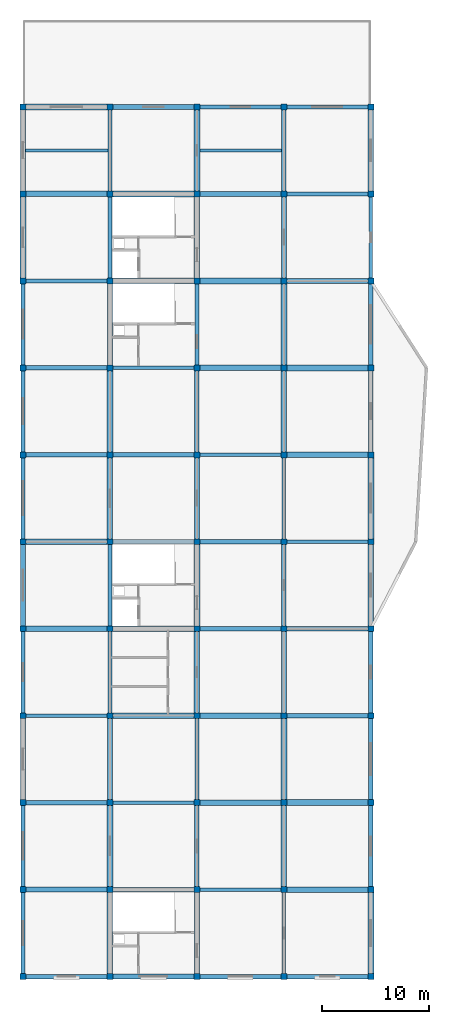
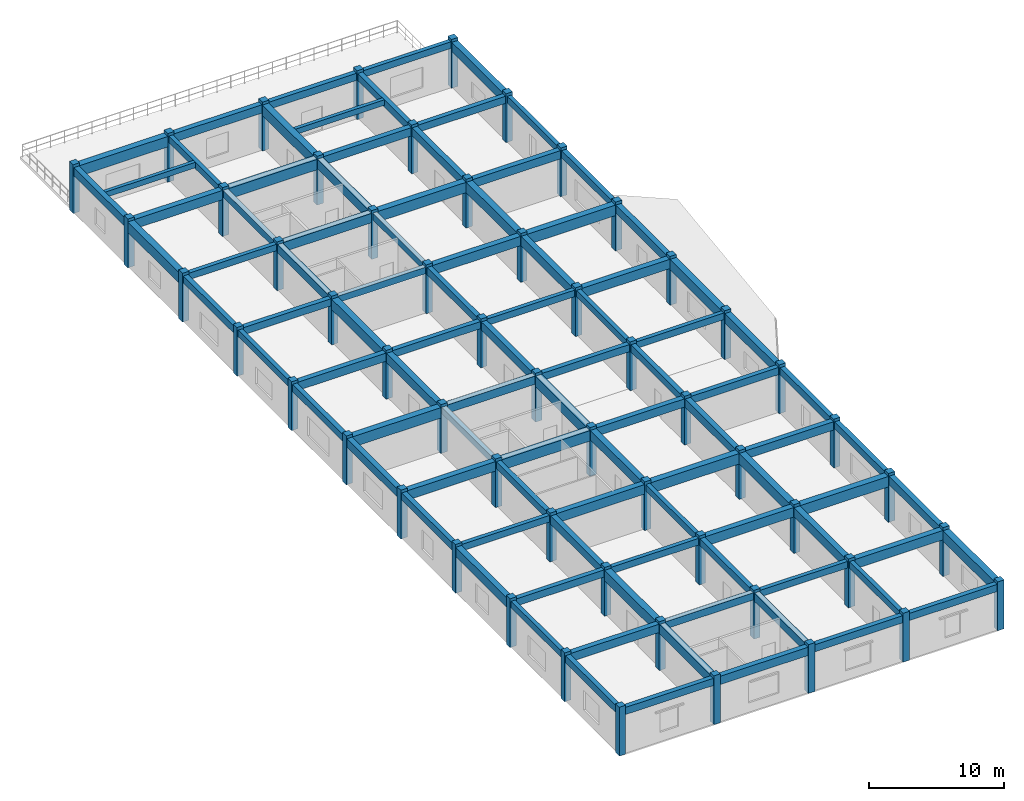
# One storey, part 1 of 7: 96 beams, 55 columns.
"""IFC4 building model written with IfcOpenShell, lengths in metres."""

import ifcopenshell
import ifcopenshell.guid

model = None  # the IFC model being written
_history = None  # IfcOwnerHistory: only IFC2X3 demands one
_inside = {}  # id of a spatial element -> (the spatial element, [elements in it])
_under = {}  # id of a project, library or spatial element -> (it, [spatial elements below it])
_declared = {}  # id of a project -> (the project, [libraries it declares])
_typed = {}  # id of a type object -> (the type object, [elements of that type])
_made_of = {}  # id of a material, layer set ... -> (it, [elements and type objects made of it])


def new_model(schema):
    """Start an empty IFC model of exactly this schema.

    Asked for "IFC4X3", IfcOpenShell would pick the latest addendum, in which some entities
    have other attributes; the version numbers below select the first issue.
    IFC2X3 requires an IfcOwnerHistory on every rooted entity: one is made here for all.
    """
    global model, _history
    if schema == "IFC4X3":
        model = ifcopenshell.file(schema_version=(4, 3, 0, 0))
    else:
        model = ifcopenshell.file(schema=schema)
    _inside.clear()
    _under.clear()
    _declared.clear()
    _typed.clear()
    _made_of.clear()
    _history = None
    if model.schema == "IFC2X3":
        org = make("IfcOrganization", Name="unknown")
        user = make(
            "IfcPersonAndOrganization",
            ThePerson=make("IfcPerson", FamilyName="unknown"),
            TheOrganization=org,
        )
        app = make(
            "IfcApplication",
            ApplicationDeveloper=org,
            Version="unknown",
            ApplicationFullName="unknown",
            ApplicationIdentifier="unknown",
        )
        _history = make(
            "IfcOwnerHistory",
            OwningUser=user,
            OwningApplication=app,
            ChangeAction="ADDED",
            CreationDate=0,
        )
    return model


def make(cls, **values):
    """One entity of the class cls with the attributes given. An attribute that is None is left unset."""
    return model.create_entity(
        cls, **{name: value for name, value in values.items() if value is not None}
    )


def rooted(cls, **values):
    """An entity with a GlobalId (a new one), such as an element, a storey or a relation."""
    return make(cls, GlobalId=ifcopenshell.guid.new(), OwnerHistory=_history, **values)


def si_unit(unit_type, name, prefix=None):
    """IfcSIUnit, for example si_unit("LENGTHUNIT", "METRE", prefix="MILLI")."""
    return make("IfcSIUnit", UnitType=unit_type, Prefix=prefix, Name=name)


def assignment(units):
    """IfcUnitAssignment: the units of a project."""
    return None if units is None else make("IfcUnitAssignment", Units=units)


def point(xyz):
    """IfcCartesianPoint."""
    return None if xyz is None else make("IfcCartesianPoint", Coordinates=xyz)


def direction(xyz):
    """IfcDirection."""
    return None if xyz is None else make("IfcDirection", DirectionRatios=xyz)


def frame(location, z_axis=None, x_axis=None):
    """IfcAxis2Placement3D, a coordinate frame: its origin and axes. An axis left out is left unset."""
    return make(
        "IfcAxis2Placement3D",
        Location=point(location),
        Axis=direction(z_axis),
        RefDirection=direction(x_axis),
    )


def frame_2d(location, x_axis=None):
    """IfcAxis2Placement2D, a coordinate frame in the plane: its origin and x axis."""
    return make(
        "IfcAxis2Placement2D", Location=point(location), RefDirection=direction(x_axis)
    )


def origin():
    """The frame at (0, 0, 0) with its axes left unset."""
    return frame((0.0, 0.0, 0.0))


def origin_2d():
    """The frame at (0, 0) in the plane with its x axis left unset."""
    return frame_2d((0.0, 0.0))


def place(relative_to, where):
    """IfcLocalPlacement: puts the frame where relative to a parent placement (None: the world)."""
    return make(
        "IfcLocalPlacement", PlacementRelTo=relative_to, RelativePlacement=where
    )


def context(
    kind, dimensions, precision=None, world=None, true_north=None, identifier=None
):
    """IfcGeometricRepresentationContext, for example the 3D "Model" context."""
    return make(
        "IfcGeometricRepresentationContext",
        ContextIdentifier=identifier,
        ContextType=kind,
        CoordinateSpaceDimension=dimensions,
        Precision=precision,
        WorldCoordinateSystem=world,
        TrueNorth=true_north,
    )


def subcontext(parent, identifier, kind, view, scale=None):
    """IfcGeometricRepresentationSubContext, for example "Body" below "Model"."""
    return make(
        "IfcGeometricRepresentationSubContext",
        ContextIdentifier=identifier,
        ContextType=kind,
        ParentContext=parent,
        TargetScale=scale,
        TargetView=view,
    )


def project(units=None, contexts=None):
    """IfcProject with its units and contexts."""
    return rooted(
        "IfcProject",
        Name="project",
        RepresentationContexts=contexts,
        UnitsInContext=assignment(units),
    )


def spatial(cls, under=None, at=None, **own):
    """A site, building, storey or space (cls), placed at a placement, below another one or the project."""
    s = rooted(cls, ObjectPlacement=at, **own)
    if under is not None:
        _under.setdefault(under.id(), (under, []))[1].append(s)
    return s


def profile(cls, at=None, kind="AREA", **sizes):
    """A parametric profile (cls). Its sizes go by their IFC names, for example OverallWidth=200.0."""
    return make(cls, ProfileType=kind, Position=at, **sizes)


def rectangle(**sizes):
    """IfcRectangleProfileDef."""
    return profile("IfcRectangleProfileDef", **sizes)


def extrude(swept, where, along, depth):
    """IfcExtrudedAreaSolid: the profile swept, set in the frame where, extruded along a direction by depth."""
    return make(
        "IfcExtrudedAreaSolid",
        SweptArea=swept,
        Position=where,
        ExtrudedDirection=direction(along),
        Depth=depth,
    )


def shape(context_of_items, identifier, shape_type, items):
    """IfcShapeRepresentation: the items that make up one representation, for example the "Body"."""
    return make(
        "IfcShapeRepresentation",
        ContextOfItems=context_of_items,
        RepresentationIdentifier=identifier,
        RepresentationType=shape_type,
        Items=items,
    )


def material(Name=None, Category=None):
    """IfcMaterial."""
    return make("IfcMaterial", Name=Name, Category=Category)


def material_profile(
    of_material, cross_section, Name=None, Category=None, Priority=None
):
    """IfcMaterialProfile: a cross section and its material."""
    return make(
        "IfcMaterialProfile",
        Name=Name,
        Material=of_material,
        Profile=cross_section,
        Priority=Priority,
        Category=Category,
    )


def profile_set(profiles, Name=None, composite=None):
    """IfcMaterialProfileSet."""
    return make(
        "IfcMaterialProfileSet",
        Name=Name,
        MaterialProfiles=profiles,
        CompositeProfile=composite,
    )


def made_of(thing, what):
    """Note that an element or type object is made of a material, layer set ...; save() writes the relation."""
    if what is not None:
        _made_of.setdefault(what.id(), (what, []))[1].append(thing)
    return thing


def type_object(cls, material=None, **own):
    """A type object (cls), such as IfcWallType, which elements share."""
    return made_of(rooted(cls, **own), material)


def element(
    cls,
    number,
    at=None,
    inside=None,
    cuts=None,
    type_object=None,
    material=None,
    context=None,
    identifier="Body",
    shape_type=None,
    held_by="IfcProductDefinitionShape",
    body=None,
    shapes=None,
    **own,
):
    """One element of the class cls, such as IfcWall. Its Tag is "e" and its number.

    at: its placement. inside: the storey or other place that contains it. cuts: it is an
    opening in that element (IfcRelVoidsElement). A single representation is given by context,
    identifier, shape_type and body (its items); several are given by shapes. held_by: the class
    of the entity that holds the representations. save() writes the other relations.
    """
    e = rooted(cls, Tag="e%d" % number, ObjectPlacement=at, **own)
    if body is not None:
        shapes = [shape(context, identifier, shape_type, body)]
    if shapes is not None:
        e.Representation = make(held_by, Representations=shapes)
    if inside is not None:
        _inside.setdefault(inside.id(), (inside, []))[1].append(e)
    if cuts is not None:
        rooted(
            "IfcRelVoidsElement", RelatingBuildingElement=cuts, RelatedOpeningElement=e
        )
    if type_object is not None:
        _typed.setdefault(type_object.id(), (type_object, []))[1].append(e)
    return made_of(e, material)


def aggregate(whole, parts):
    """IfcRelAggregates: a whole, such as a stair, and the parts it consists of."""
    return rooted("IfcRelAggregates", RelatingObject=whole, RelatedObjects=parts)


def save(model, path):
    """Write the relations noted so far, then the file.

    IfcRelAggregates (storeys below a building ...), IfcRelContainedInSpatialStructure (elements
    in a storey), IfcRelDefinesByType, IfcRelAssociatesMaterial and IfcRelDeclares: one each for
    every whole, place, type object, material and project.
    """
    for whole, parts in _under.values():
        aggregate(whole, parts)
    for where, things in _inside.values():
        rooted(
            "IfcRelContainedInSpatialStructure",
            RelatedElements=things,
            RelatingStructure=where,
        )
    for kind, things in _typed.values():
        rooted("IfcRelDefinesByType", RelatedObjects=things, RelatingType=kind)
    for what, things in _made_of.values():
        rooted("IfcRelAssociatesMaterial", RelatedObjects=things, RelatingMaterial=what)
    for by, libraries in _declared.values():
        rooted("IfcRelDeclares", RelatingContext=by, RelatedDefinitions=libraries)
    model.write(path)


model = new_model("IFC4")

# Units and contexts
model_context = context("Model", 3, precision=1e-05, world=origin(), true_north=direction((0.0, 1.0)))
body_context = subcontext(model_context, "Body", "Model", "MODEL_VIEW")
ifc_project = project(units=[si_unit("LENGTHUNIT", "METRE"), si_unit("AREAUNIT", "SQUARE_METRE"), si_unit("VOLUMEUNIT", "CUBIC_METRE"), si_unit("PLANEANGLEUNIT", "RADIAN"), si_unit("MASSUNIT", "GRAM", prefix="KILO")], contexts=[model_context])

# Site, building, storey
site_placement = place(None, origin())
site = spatial("IfcSite", under=ifc_project, at=site_placement, CompositionType="ELEMENT")
building_placement = place(site_placement, origin())
building = spatial("IfcBuilding", under=site, at=building_placement, Name="Vaudrelin Polytechnic", CompositionType="ELEMENT")
storey_placement = place(building_placement, frame((0.0, 0.0, 31.7900390625)))
storey = spatial("IfcBuildingStorey", under=building, at=storey_placement, Name="L07", CompositionType="ELEMENT", Elevation=31.7900390625)

# Columns
ifc_material_1 = material(Name="Concrete 40 MPa", Category="concrete")
ifc_material_profile_1 = material_profile(ifc_material_1, rectangle(XDim=0.550048828125, YDim=0.550048828125, at=origin_2d()), Name="RC550x550")
ifc_profile_set_1 = profile_set([ifc_material_profile_1], Name="Concrete 40 MPa")
column_type = type_object("IfcColumnType", Name="COL-C-RC550", PredefinedType="COLUMN", material=ifc_profile_set_1)
for number, where, z_axis, x_axis, name in (
    (1, (137.699951171875, 32.39990234375, 0.0), (0.0, 0.0, 1.0), (1.0, 0.0, 0.0), "Column L07 18-5"),
    (2, (137.699951171875, 40.5, 0.0), (0.0, 0.0, 1.0), (1.0, 0.0, 0.0), "Column L07 18-6"),
    (3, (137.699951171875, 48.60009765625, 0.0), (0.0, 0.0, 1.0), (1.0, 0.0, 0.0), "Column L07 18-7"),
    (4, (137.699951171875, 56.699951171875, 0.0), (0.0, 0.0, 1.0), (1.0, 0.0, 0.0), "Column L07 18-8"),
    (5, (137.699951171875, 64.800048828125, 0.0), (0.0, 0.0, 1.0), (1.0, 0.0, 0.0), "Column L07 18-9"),
    (6, (137.699951171875, 72.89990234375, 0.0), (0.0, 0.0, 1.0), (1.0, 0.0, 0.0), "Column L07 18-10"),
    (7, (137.699951171875, 81.0, 0.0), (0.0, 0.0, 1.0), (1.0, 0.0, 0.0), "Column L07 18-11"),
    (8, (137.699951171875, 89.10009765625, 0.0), (0.0, 0.0, 1.0), (1.0, 0.0, 0.0), "Column L07 18-12"),
    (9, (137.699951171875, 97.199951171875, 0.0), (0.0, 0.0, 1.0), (1.0, 0.0, 0.0), "Column L07 18-13"),
    (10, (137.699951171875, 105.300048828125, 0.0), (0.0, 0.0, 1.0), (1.0, 0.0, 0.0), "Column L07 18-14"),
    (11, (137.699951171875, 113.39990234375, 0.0), (0.0, 0.0, 1.0), (1.0, 0.0, 0.0), "Column L07 18-15"),
    (12, (145.800048828125, 32.39990234375, 0.0), (0.0, 0.0, 1.0), (1.0, 0.0, 0.0), "Column L07 19-5"),
    (13, (145.800048828125, 40.5, 0.0), (0.0, 0.0, 1.0), (1.0, 0.0, 0.0), "Column L07 19-6"),
    (14, (145.800048828125, 48.60009765625, 0.0), (0.0, 0.0, 1.0), (1.0, 0.0, 0.0), "Column L07 19-7"),
    (15, (145.800048828125, 56.699951171875, 0.0), (0.0, 0.0, 1.0), (1.0, 0.0, 0.0), "Column L07 19-8"),
    (16, (145.800048828125, 64.800048828125, 0.0), (0.0, 0.0, 1.0), (1.0, 0.0, 0.0), "Column L07 19-9"),
    (17, (145.800048828125, 72.89990234375, 0.0), (0.0, 0.0, 1.0), (1.0, 0.0, 0.0), "Column L07 19-10"),
    (18, (145.800048828125, 81.0, 0.0), (0.0, 0.0, 1.0), (1.0, 0.0, 0.0), "Column L07 19-11"),
    (19, (145.800048828125, 89.10009765625, 0.0), (0.0, 0.0, 1.0), (1.0, 0.0, 0.0), "Column L07 19-12"),
    (20, (145.800048828125, 97.199951171875, 0.0), (0.0, 0.0, 1.0), (1.0, 0.0, 0.0), "Column L07 19-13"),
    (21, (145.800048828125, 105.300048828125, 0.0), (0.0, 0.0, 1.0), (1.0, 0.0, 0.0), "Column L07 19-14"),
    (22, (145.800048828125, 113.39990234375, 0.0), (0.0, 0.0, 1.0), (1.0, 0.0, 0.0), "Column L07 19-15"),
    (23, (153.89990234375, 32.39990234375, 0.0), (0.0, 0.0, 1.0), (1.0, 0.0, 0.0), "Column L07 20-5"),
    (24, (153.89990234375, 40.5, 0.0), (0.0, 0.0, 1.0), (1.0, 0.0, 0.0), "Column L07 20-6"),
    (25, (153.89990234375, 48.60009765625, 0.0), (0.0, 0.0, 1.0), (1.0, 0.0, 0.0), "Column L07 20-7"),
    (26, (153.89990234375, 56.699951171875, 0.0), (0.0, 0.0, 1.0), (1.0, 0.0, 0.0), "Column L07 20-8"),
    (27, (153.89990234375, 64.800048828125, 0.0), (0.0, 0.0, 1.0), (1.0, 0.0, 0.0), "Column L07 20-9"),
    (28, (153.89990234375, 72.89990234375, 0.0), (0.0, 0.0, 1.0), (1.0, 0.0, 0.0), "Column L07 20-10"),
    (29, (153.89990234375, 81.0, 0.0), (0.0, 0.0, 1.0), (1.0, 0.0, 0.0), "Column L07 20-11"),
    (30, (153.89990234375, 89.10009765625, 0.0), (0.0, 0.0, 1.0), (1.0, 0.0, 0.0), "Column L07 20-12"),
    (31, (153.89990234375, 97.199951171875, 0.0), (0.0, 0.0, 1.0), (1.0, 0.0, 0.0), "Column L07 20-13"),
    (32, (153.89990234375, 105.300048828125, 0.0), (0.0, 0.0, 1.0), (1.0, 0.0, 0.0), "Column L07 20-14"),
    (33, (153.89990234375, 113.39990234375, 0.0), (0.0, 0.0, 1.0), (1.0, 0.0, 0.0), "Column L07 20-15"),
    (34, (162.0, 32.39990234375, 0.0), (0.0, 0.0, 1.0), (1.0, 0.0, 0.0), "Column L07 21-5"),
    (35, (162.0, 40.5, 0.0), (0.0, 0.0, 1.0), (1.0, 0.0, 0.0), "Column L07 21-6"),
    (36, (162.0, 48.60009765625, 0.0), (0.0, 0.0, 1.0), (1.0, 0.0, 0.0), "Column L07 21-7"),
    (37, (162.0, 56.699951171875, 0.0), (0.0, 0.0, 1.0), (1.0, 0.0, 0.0), "Column L07 21-8"),
    (38, (162.0, 64.800048828125, 0.0), (0.0, 0.0, 1.0), (1.0, 0.0, 0.0), "Column L07 21-9"),
    (39, (162.0, 72.89990234375, 0.0), (0.0, 0.0, 1.0), (1.0, 0.0, 0.0), "Column L07 21-10"),
    (40, (162.0, 81.0, 0.0), (0.0, 0.0, 1.0), (1.0, 0.0, 0.0), "Column L07 21-11"),
    (41, (162.0, 89.10009765625, 0.0), (0.0, 0.0, 1.0), (1.0, 0.0, 0.0), "Column L07 21-12"),
    (42, (162.0, 97.199951171875, 0.0), (0.0, 0.0, 1.0), (1.0, 0.0, 0.0), "Column L07 21-13"),
    (43, (162.0, 105.300048828125, 0.0), (0.0, 0.0, 1.0), (1.0, 0.0, 0.0), "Column L07 21-14"),
    (44, (162.0, 113.39990234375, 0.0), (0.0, 0.0, 1.0), (1.0, 0.0, 0.0), "Column L07 21-15"),
    (45, (170.10009765625, 32.39990234375, 0.0), (0.0, 0.0, 1.0), (1.0, 0.0, 0.0), "Column L07 22-5"),
    (46, (170.10009765625, 40.5, 0.0), (0.0, 0.0, 1.0), (1.0, 0.0, 0.0), "Column L07 22-6"),
    (47, (170.10009765625, 48.60009765625, 0.0), (0.0, 0.0, 1.0), (1.0, 0.0, 0.0), "Column L07 22-7"),
    (48, (170.10009765625, 56.699951171875, 0.0), (0.0, 0.0, 1.0), (1.0, 0.0, 0.0), "Column L07 22-8"),
    (49, (170.10009765625, 64.800048828125, 0.0), (0.0, 0.0, 1.0), (1.0, 0.0, 0.0), "Column L07 22-9"),
    (50, (170.10009765625, 72.89990234375, 0.0), (0.0, 0.0, 1.0), (1.0, 0.0, 0.0), "Column L07 22-10"),
    (51, (170.10009765625, 81.0, 0.0), (0.0, 0.0, 1.0), (1.0, 0.0, 0.0), "Column L07 22-11"),
    (52, (170.10009765625, 89.10009765625, 0.0), (0.0, 0.0, 1.0), (1.0, 0.0, 0.0), "Column L07 22-12"),
    (53, (170.10009765625, 97.199951171875, 0.0), (0.0, 0.0, 1.0), (1.0, 0.0, 0.0), "Column L07 22-13"),
    (54, (170.10009765625, 105.300048828125, 0.0), (0.0, 0.0, 1.0), (1.0, 0.0, 0.0), "Column L07 22-14"),
    (55, (170.10009765625, 113.39990234375, 0.0), (0.0, 0.0, 1.0), (1.0, 0.0, 0.0), "Column L07 22-15"),
):
    element("IfcColumn", number, at=place(storey_placement, frame(where, z_axis=z_axis, x_axis=x_axis)), inside=storey, type_object=column_type, Name=name, PredefinedType="COLUMN", context=body_context, shape_type="SweptSolid", body=[
        extrude(rectangle(XDim=0.550048828125, YDim=0.550048828125, at=origin_2d()), origin(), (0.0, 0.0, 1.0), 4.419921875),
    ])

# Beams
ifc_material_profile_2 = material_profile(ifc_material_1, rectangle(XDim=0.35009765625, YDim=0.60009765625, at=origin_2d()), Name="RC350x600")
ifc_profile_set_2 = profile_set([ifc_material_profile_2], Name="Concrete 40 MPa")
beam_type_1 = type_object("IfcBeamType", Name="BM-BM-RC3560", PredefinedType="BEAM", material=ifc_profile_set_2)
for number, where, z_axis, x_axis, name in (
    (56, (137.699951171875, 40.760009765625, 3.85986328125), (0.0, 1.0, 0.0), (-1.0, 0.0, 0.0), "L07 Y-beam 18-6"),
    (57, (137.699951171875, 81.260009765625, 3.85986328125), (0.0, 1.0, 0.0), (-1.0, 0.0, 0.0), "L07 Y-beam 18-11"),
):
    element("IfcBeam", number, at=place(storey_placement, frame(where, z_axis=z_axis, x_axis=x_axis)), inside=storey, type_object=beam_type_1, Name=name, PredefinedType="BEAM", context=body_context, shape_type="SweptSolid", body=[
        extrude(rectangle(XDim=0.35009765625, YDim=0.60009765625, at=origin_2d()), origin(), (0.0, 0.0, 1.0), 7.580078125),
    ])
for number, where, z_axis, x_axis, name in (
    (58, (145.800048828125, 65.06005859375, 3.85986328125), (0.0, 1.0, 0.0), (-1.0, 0.0, 0.0), "L07 Y-beam 19-9"),
    (59, (145.800048828125, 105.56005859375, 3.85986328125), (0.0, 1.0, 0.0), (-1.0, 0.0, 0.0), "L07 Y-beam 19-14"),
    (60, (153.89990234375, 48.860107421875, 3.85986328125), (0.0, 1.0, 0.0), (-1.0, 0.0, 0.0), "L07 Y-beam 20-7"),
    (61, (153.89990234375, 89.360107421875, 3.85986328125), (0.0, 1.0, 0.0), (-1.0, 0.0, 0.0), "L07 Y-beam 20-12"),
):
    element("IfcBeam", number, at=place(storey_placement, frame(where, z_axis=z_axis, x_axis=x_axis)), inside=storey, type_object=beam_type_1, Name=name, PredefinedType="BEAM", context=body_context, shape_type="SweptSolid", body=[
        extrude(rectangle(XDim=0.35009765625, YDim=0.60009765625, at=origin_2d()), origin(), (0.0, 0.0, 1.0), 7.579833984375),
    ])
for number, where, z_axis, x_axis, name in (
    (62, (162.0, 32.659912109375, 3.85986328125), (0.0, 1.0, 0.0), (-1.0, 0.0, 0.0), "L07 Y-beam 21-5"),
    (63, (162.0, 73.159912109375, 3.85986328125), (0.0, 1.0, 0.0), (-1.0, 0.0, 0.0), "L07 Y-beam 21-10"),
    (64, (170.10009765625, 97.4599609375, 3.85986328125), (0.0, 1.0, 0.0), (-1.0, 0.0, 0.0), "L07 Y-beam 22-13"),
):
    element("IfcBeam", number, at=place(storey_placement, frame(where, z_axis=z_axis, x_axis=x_axis)), inside=storey, type_object=beam_type_1, Name=name, PredefinedType="BEAM", context=body_context, shape_type="SweptSolid", body=[
        extrude(rectangle(XDim=0.35009765625, YDim=0.60009765625, at=origin_2d()), origin(), (0.0, 0.0, 1.0), 7.580078125),
    ])
for number, where, z_axis, x_axis, name in (
    (65, (137.970947265625, 56.699951171875, 3.85986328125), (1.0, 0.0, 0.0), (0.0, 1.0, 0.0), "L07 X-beam 18-8"),
    (66, (137.970947265625, 97.199951171875, 3.85986328125), (1.0, 0.0, 0.0), (0.0, 1.0, 0.0), "L07 X-beam 18-13"),
):
    element("IfcBeam", number, at=place(storey_placement, frame(where, z_axis=z_axis, x_axis=x_axis)), inside=storey, type_object=beam_type_1, Name=name, PredefinedType="BEAM", context=body_context, shape_type="SweptSolid", body=[
        extrude(rectangle(XDim=0.35009765625, YDim=0.60009765625, at=origin_2d()), origin(), (0.0, 0.0, 1.0), 7.55810546875),
    ])
for number, where, z_axis, x_axis, name in (
    (67, (146.071044921875, 48.60009765625, 3.85986328125), (1.0, 0.0, 0.0), (0.0, 1.0, 0.0), "L07 X-beam 19-7"),
    (68, (146.071044921875, 89.10009765625, 3.85986328125), (1.0, 0.0, 0.0), (0.0, 1.0, 0.0), "L07 X-beam 19-12"),
):
    element("IfcBeam", number, at=place(storey_placement, frame(where, z_axis=z_axis, x_axis=x_axis)), inside=storey, type_object=beam_type_1, Name=name, PredefinedType="BEAM", context=body_context, shape_type="SweptSolid", body=[
        extrude(rectangle(XDim=0.35009765625, YDim=0.60009765625, at=origin_2d()), origin(), (0.0, 0.0, 1.0), 7.557861328125),
    ])
for number, where, z_axis, x_axis, name in (
    (69, (154.1708984375, 40.5, 3.85986328125), (1.0, 0.0, 0.0), (0.0, 1.0, 0.0), "L07 X-beam 20-6"),
    (70, (154.1708984375, 81.0, 3.85986328125), (1.0, 0.0, 0.0), (0.0, 1.0, 0.0), "L07 X-beam 20-11"),
    (71, (162.27099609375, 72.89990234375, 3.85986328125), (1.0, 0.0, 0.0), (0.0, 1.0, 0.0), "L07 X-beam 21-10"),
    (72, (162.27099609375, 113.39990234375, 3.85986328125), (1.0, 0.0, 0.0), (0.0, 1.0, 0.0), "L07 X-beam 21-15"),
):
    element("IfcBeam", number, at=place(storey_placement, frame(where, z_axis=z_axis, x_axis=x_axis)), inside=storey, type_object=beam_type_1, Name=name, PredefinedType="BEAM", context=body_context, shape_type="SweptSolid", body=[
        extrude(rectangle(XDim=0.35009765625, YDim=0.60009765625, at=origin_2d()), origin(), (0.0, 0.0, 1.0), 7.55810546875),
    ])
ifc_material_profile_3 = material_profile(ifc_material_1, rectangle(XDim=0.39990234375, YDim=0.64990234375, at=origin_2d()), Name="RC400x650")
ifc_profile_set_3 = profile_set([ifc_material_profile_3], Name="Concrete 40 MPa")
beam_type_2 = type_object("IfcBeamType", Name="BM-BM-RC4065", PredefinedType="BEAM", material=ifc_profile_set_3)
for number, where, z_axis, x_axis, name in (
    (73, (137.699951171875, 32.659912109375, 3.8349609375), (0.0, 1.0, 0.0), (-1.0, 0.0, 0.0), "L07 Y-beam 18-5"),
    (74, (137.699951171875, 73.159912109375, 3.8349609375), (0.0, 1.0, 0.0), (-1.0, 0.0, 0.0), "L07 Y-beam 18-10"),
    (75, (145.800048828125, 56.9599609375, 3.8349609375), (0.0, 1.0, 0.0), (-1.0, 0.0, 0.0), "L07 Y-beam 19-8"),
    (76, (145.800048828125, 97.4599609375, 3.8349609375), (0.0, 1.0, 0.0), (-1.0, 0.0, 0.0), "L07 Y-beam 19-13"),
    (77, (153.89990234375, 40.760009765625, 3.8349609375), (0.0, 1.0, 0.0), (-1.0, 0.0, 0.0), "L07 Y-beam 20-6"),
    (78, (153.89990234375, 81.260009765625, 3.8349609375), (0.0, 1.0, 0.0), (-1.0, 0.0, 0.0), "L07 Y-beam 20-11"),
):
    element("IfcBeam", number, at=place(storey_placement, frame(where, z_axis=z_axis, x_axis=x_axis)), inside=storey, type_object=beam_type_2, Name=name, PredefinedType="BEAM", context=body_context, shape_type="SweptSolid", body=[
        extrude(rectangle(XDim=0.39990234375, YDim=0.64990234375, at=origin_2d()), origin(), (0.0, 0.0, 1.0), 7.580078125),
    ])
for number, where, z_axis, x_axis, name in (
    (79, (162.0, 65.06005859375, 3.8349609375), (0.0, 1.0, 0.0), (-1.0, 0.0, 0.0), "L07 Y-beam 21-9"),
    (80, (162.0, 105.56005859375, 3.8349609375), (0.0, 1.0, 0.0), (-1.0, 0.0, 0.0), "L07 Y-beam 21-14"),
    (81, (170.10009765625, 48.860107421875, 3.8349609375), (0.0, 1.0, 0.0), (-1.0, 0.0, 0.0), "L07 Y-beam 22-7"),
):
    element("IfcBeam", number, at=place(storey_placement, frame(where, z_axis=z_axis, x_axis=x_axis)), inside=storey, type_object=beam_type_2, Name=name, PredefinedType="BEAM", context=body_context, shape_type="SweptSolid", body=[
        extrude(rectangle(XDim=0.39990234375, YDim=0.64990234375, at=origin_2d()), origin(), (0.0, 0.0, 1.0), 7.579833984375),
    ])
for number, where, z_axis, x_axis, name in (
    (82, (137.970947265625, 48.60009765625, 3.8349609375), (1.0, 0.0, 0.0), (0.0, 1.0, 0.0), "L07 X-beam 18-7"),
    (83, (137.970947265625, 89.10009765625, 3.8349609375), (1.0, 0.0, 0.0), (0.0, 1.0, 0.0), "L07 X-beam 18-12"),
):
    element("IfcBeam", number, at=place(storey_placement, frame(where, z_axis=z_axis, x_axis=x_axis)), inside=storey, type_object=beam_type_2, Name=name, PredefinedType="BEAM", context=body_context, shape_type="SweptSolid", body=[
        extrude(rectangle(XDim=0.39990234375, YDim=0.64990234375, at=origin_2d()), origin(), (0.0, 0.0, 1.0), 7.55810546875),
    ])
for number, where, z_axis, x_axis, name in (
    (84, (146.071044921875, 40.5, 3.8349609375), (1.0, 0.0, 0.0), (0.0, 1.0, 0.0), "L07 X-beam 19-6"),
    (85, (146.071044921875, 81.0, 3.8349609375), (1.0, 0.0, 0.0), (0.0, 1.0, 0.0), "L07 X-beam 19-11"),
):
    element("IfcBeam", number, at=place(storey_placement, frame(where, z_axis=z_axis, x_axis=x_axis)), inside=storey, type_object=beam_type_2, Name=name, PredefinedType="BEAM", context=body_context, shape_type="SweptSolid", body=[
        extrude(rectangle(XDim=0.39990234375, YDim=0.64990234375, at=origin_2d()), origin(), (0.0, 0.0, 1.0), 7.557861328125),
    ])
for number, where, z_axis, x_axis, name in (
    (86, (154.1708984375, 32.39990234375, 3.8349609375), (1.0, 0.0, 0.0), (0.0, 1.0, 0.0), "L07 X-beam 20-5"),
    (87, (154.1708984375, 72.89990234375, 3.8349609375), (1.0, 0.0, 0.0), (0.0, 1.0, 0.0), "L07 X-beam 20-10"),
    (88, (162.27099609375, 64.800048828125, 3.8349609375), (1.0, 0.0, 0.0), (0.0, 1.0, 0.0), "L07 X-beam 21-9"),
    (89, (162.27099609375, 105.300048828125, 3.8349609375), (1.0, 0.0, 0.0), (0.0, 1.0, 0.0), "L07 X-beam 21-14"),
):
    element("IfcBeam", number, at=place(storey_placement, frame(where, z_axis=z_axis, x_axis=x_axis)), inside=storey, type_object=beam_type_2, Name=name, PredefinedType="BEAM", context=body_context, shape_type="SweptSolid", body=[
        extrude(rectangle(XDim=0.39990234375, YDim=0.64990234375, at=origin_2d()), origin(), (0.0, 0.0, 1.0), 7.55810546875),
    ])
ifc_material_profile_4 = material_profile(ifc_material_1, rectangle(XDim=0.449951171875, YDim=0.75, at=origin_2d()), Name="RC450x750")
ifc_profile_set_4 = profile_set([ifc_material_profile_4], Name="Concrete 40 MPa")
beam_type_3 = type_object("IfcBeamType", Name="BM-BM-RC4575", PredefinedType="BEAM", material=ifc_profile_set_4)
for number, where, z_axis, x_axis, name in (
    (90, (137.699951171875, 65.06005859375, 3.784912109375), (0.0, 1.0, 0.0), (-1.0, 0.0, 0.0), "L07 Y-beam 18-9"),
    (91, (137.699951171875, 105.56005859375, 3.784912109375), (0.0, 1.0, 0.0), (-1.0, 0.0, 0.0), "L07 Y-beam 18-14"),
    (92, (145.800048828125, 48.860107421875, 3.784912109375), (0.0, 1.0, 0.0), (-1.0, 0.0, 0.0), "L07 Y-beam 19-7"),
    (93, (145.800048828125, 89.360107421875, 3.784912109375), (0.0, 1.0, 0.0), (-1.0, 0.0, 0.0), "L07 Y-beam 19-12"),
):
    element("IfcBeam", number, at=place(storey_placement, frame(where, z_axis=z_axis, x_axis=x_axis)), inside=storey, type_object=beam_type_3, Name=name, PredefinedType="BEAM", context=body_context, shape_type="SweptSolid", body=[
        extrude(rectangle(XDim=0.449951171875, YDim=0.75, at=origin_2d()), origin(), (0.0, 0.0, 1.0), 7.579833984375),
    ])
for number, where, z_axis, x_axis, name in (
    (94, (153.89990234375, 32.659912109375, 3.784912109375), (0.0, 1.0, 0.0), (-1.0, 0.0, 0.0), "L07 Y-beam 20-5"),
    (95, (153.89990234375, 73.159912109375, 3.784912109375), (0.0, 1.0, 0.0), (-1.0, 0.0, 0.0), "L07 Y-beam 20-10"),
    (96, (162.0, 56.9599609375, 3.784912109375), (0.0, 1.0, 0.0), (-1.0, 0.0, 0.0), "L07 Y-beam 21-8"),
    (97, (162.0, 97.4599609375, 3.784912109375), (0.0, 1.0, 0.0), (-1.0, 0.0, 0.0), "L07 Y-beam 21-13"),
    (98, (170.10009765625, 40.760009765625, 3.784912109375), (0.0, 1.0, 0.0), (-1.0, 0.0, 0.0), "L07 Y-beam 22-6"),
    (99, (170.10009765625, 81.260009765625, 3.784912109375), (0.0, 1.0, 0.0), (-1.0, 0.0, 0.0), "L07 Y-beam 22-11"),
):
    element("IfcBeam", number, at=place(storey_placement, frame(where, z_axis=z_axis, x_axis=x_axis)), inside=storey, type_object=beam_type_3, Name=name, PredefinedType="BEAM", context=body_context, shape_type="SweptSolid", body=[
        extrude(rectangle(XDim=0.449951171875, YDim=0.75, at=origin_2d()), origin(), (0.0, 0.0, 1.0), 7.580078125),
    ])
for number, where, z_axis, x_axis, name in (
    (100, (137.970947265625, 40.5, 3.784912109375), (1.0, 0.0, 0.0), (0.0, 1.0, 0.0), "L07 X-beam 18-6"),
    (101, (137.970947265625, 81.0, 3.784912109375), (1.0, 0.0, 0.0), (0.0, 1.0, 0.0), "L07 X-beam 18-11"),
):
    element("IfcBeam", number, at=place(storey_placement, frame(where, z_axis=z_axis, x_axis=x_axis)), inside=storey, type_object=beam_type_3, Name=name, PredefinedType="BEAM", context=body_context, shape_type="SweptSolid", body=[
        extrude(rectangle(XDim=0.449951171875, YDim=0.75, at=origin_2d()), origin(), (0.0, 0.0, 1.0), 7.55810546875),
    ])
for number, where, z_axis, x_axis, name in (
    (102, (146.071044921875, 32.39990234375, 3.784912109375), (1.0, 0.0, 0.0), (0.0, 1.0, 0.0), "L07 X-beam 19-5"),
    (103, (146.071044921875, 72.89990234375, 3.784912109375), (1.0, 0.0, 0.0), (0.0, 1.0, 0.0), "L07 X-beam 19-10"),
    (104, (146.071044921875, 113.39990234375, 3.784912109375), (1.0, 0.0, 0.0), (0.0, 1.0, 0.0), "L07 X-beam 19-15"),
):
    element("IfcBeam", number, at=place(storey_placement, frame(where, z_axis=z_axis, x_axis=x_axis)), inside=storey, type_object=beam_type_3, Name=name, PredefinedType="BEAM", context=body_context, shape_type="SweptSolid", body=[
        extrude(rectangle(XDim=0.449951171875, YDim=0.75, at=origin_2d()), origin(), (0.0, 0.0, 1.0), 7.557861328125),
    ])
for number, where, z_axis, x_axis, name in (
    (105, (154.1708984375, 64.800048828125, 3.784912109375), (1.0, 0.0, 0.0), (0.0, 1.0, 0.0), "L07 X-beam 20-9"),
    (106, (154.1708984375, 105.300048828125, 3.784912109375), (1.0, 0.0, 0.0), (0.0, 1.0, 0.0), "L07 X-beam 20-14"),
    (107, (162.27099609375, 56.699951171875, 3.784912109375), (1.0, 0.0, 0.0), (0.0, 1.0, 0.0), "L07 X-beam 21-8"),
    (108, (162.27099609375, 97.199951171875, 3.784912109375), (1.0, 0.0, 0.0), (0.0, 1.0, 0.0), "L07 X-beam 21-13"),
):
    element("IfcBeam", number, at=place(storey_placement, frame(where, z_axis=z_axis, x_axis=x_axis)), inside=storey, type_object=beam_type_3, Name=name, PredefinedType="BEAM", context=body_context, shape_type="SweptSolid", body=[
        extrude(rectangle(XDim=0.449951171875, YDim=0.75, at=origin_2d()), origin(), (0.0, 0.0, 1.0), 7.55810546875),
    ])
ifc_material_profile_5 = material_profile(ifc_material_1, rectangle(XDim=0.5, YDim=0.85009765625, at=origin_2d()), Name="RC500x850")
ifc_profile_set_5 = profile_set([ifc_material_profile_5], Name="Concrete 40 MPa")
beam_type_4 = type_object("IfcBeamType", Name="BM-BM-RC5085", PredefinedType="BEAM", material=ifc_profile_set_5)
beam_1_placement = place(storey_placement, frame((137.699951171875, 48.860107421875, 3.73486328125), z_axis=(0.0, 1.0, 0.0), x_axis=(-1.0, 0.0, 0.0)))
element("IfcBeam", 109, at=beam_1_placement, inside=storey, type_object=beam_type_4, Name="L07 Y-beam 18-7", PredefinedType="BEAM", context=body_context, shape_type="SweptSolid", body=[
    extrude(rectangle(XDim=0.5, YDim=0.85009765625, at=origin_2d()), origin(), (0.0, 0.0, 1.0), 7.579833984375),
])
for number, where, z_axis, x_axis, name in (
    (110, (145.800048828125, 32.659912109375, 3.73486328125), (0.0, 1.0, 0.0), (-1.0, 0.0, 0.0), "L07 Y-beam 19-5"),
    (111, (145.800048828125, 73.159912109375, 3.73486328125), (0.0, 1.0, 0.0), (-1.0, 0.0, 0.0), "L07 Y-beam 19-10"),
    (112, (153.89990234375, 56.9599609375, 3.73486328125), (0.0, 1.0, 0.0), (-1.0, 0.0, 0.0), "L07 Y-beam 20-8"),
    (113, (153.89990234375, 97.4599609375, 3.73486328125), (0.0, 1.0, 0.0), (-1.0, 0.0, 0.0), "L07 Y-beam 20-13"),
    (114, (162.0, 40.760009765625, 3.73486328125), (0.0, 1.0, 0.0), (-1.0, 0.0, 0.0), "L07 Y-beam 21-6"),
    (115, (162.0, 81.260009765625, 3.73486328125), (0.0, 1.0, 0.0), (-1.0, 0.0, 0.0), "L07 Y-beam 21-11"),
):
    element("IfcBeam", number, at=place(storey_placement, frame(where, z_axis=z_axis, x_axis=x_axis)), inside=storey, type_object=beam_type_4, Name=name, PredefinedType="BEAM", context=body_context, shape_type="SweptSolid", body=[
        extrude(rectangle(XDim=0.5, YDim=0.85009765625, at=origin_2d()), origin(), (0.0, 0.0, 1.0), 7.580078125),
    ])
for number, where, z_axis, x_axis, name in (
    (116, (170.10009765625, 65.06005859375, 3.73486328125), (0.0, 1.0, 0.0), (-1.0, 0.0, 0.0), "L07 Y-beam 22-9"),
    (117, (170.10009765625, 105.56005859375, 3.73486328125), (0.0, 1.0, 0.0), (-1.0, 0.0, 0.0), "L07 Y-beam 22-14"),
):
    element("IfcBeam", number, at=place(storey_placement, frame(where, z_axis=z_axis, x_axis=x_axis)), inside=storey, type_object=beam_type_4, Name=name, PredefinedType="BEAM", context=body_context, shape_type="SweptSolid", body=[
        extrude(rectangle(XDim=0.5, YDim=0.85009765625, at=origin_2d()), origin(), (0.0, 0.0, 1.0), 7.579833984375),
    ])
for number, where, z_axis, x_axis, name in (
    (118, (137.970947265625, 64.800048828125, 3.73486328125), (1.0, 0.0, 0.0), (0.0, 1.0, 0.0), "L07 X-beam 18-9"),
    (119, (137.970947265625, 105.300048828125, 3.73486328125), (1.0, 0.0, 0.0), (0.0, 1.0, 0.0), "L07 X-beam 18-14"),
):
    element("IfcBeam", number, at=place(storey_placement, frame(where, z_axis=z_axis, x_axis=x_axis)), inside=storey, type_object=beam_type_4, Name=name, PredefinedType="BEAM", context=body_context, shape_type="SweptSolid", body=[
        extrude(rectangle(XDim=0.5, YDim=0.85009765625, at=origin_2d()), origin(), (0.0, 0.0, 1.0), 7.55810546875),
    ])
for number, where, z_axis, x_axis, name in (
    (120, (146.071044921875, 56.699951171875, 3.73486328125), (1.0, 0.0, 0.0), (0.0, 1.0, 0.0), "L07 X-beam 19-8"),
    (121, (146.071044921875, 97.199951171875, 3.73486328125), (1.0, 0.0, 0.0), (0.0, 1.0, 0.0), "L07 X-beam 19-13"),
):
    element("IfcBeam", number, at=place(storey_placement, frame(where, z_axis=z_axis, x_axis=x_axis)), inside=storey, type_object=beam_type_4, Name=name, PredefinedType="BEAM", context=body_context, shape_type="SweptSolid", body=[
        extrude(rectangle(XDim=0.5, YDim=0.85009765625, at=origin_2d()), origin(), (0.0, 0.0, 1.0), 7.557861328125),
    ])
for number, where, z_axis, x_axis, name in (
    (122, (154.1708984375, 48.60009765625, 3.73486328125), (1.0, 0.0, 0.0), (0.0, 1.0, 0.0), "L07 X-beam 20-7"),
    (123, (154.1708984375, 89.10009765625, 3.73486328125), (1.0, 0.0, 0.0), (0.0, 1.0, 0.0), "L07 X-beam 20-12"),
    (124, (162.27099609375, 40.5, 3.73486328125), (1.0, 0.0, 0.0), (0.0, 1.0, 0.0), "L07 X-beam 21-6"),
    (125, (162.27099609375, 81.0, 3.73486328125), (1.0, 0.0, 0.0), (0.0, 1.0, 0.0), "L07 X-beam 21-11"),
):
    element("IfcBeam", number, at=place(storey_placement, frame(where, z_axis=z_axis, x_axis=x_axis)), inside=storey, type_object=beam_type_4, Name=name, PredefinedType="BEAM", context=body_context, shape_type="SweptSolid", body=[
        extrude(rectangle(XDim=0.5, YDim=0.85009765625, at=origin_2d()), origin(), (0.0, 0.0, 1.0), 7.55810546875),
    ])
ifc_material_2 = material(Name="Concrete 50 MPa", Category="concrete")
ifc_material_profile_6 = material_profile(ifc_material_2, rectangle(XDim=0.550048828125, YDim=0.949951171875, at=origin_2d()), Name="RC550x950")
ifc_profile_set_6 = profile_set([ifc_material_profile_6], Name="Concrete 50 MPa")
beam_type_5 = type_object("IfcBeamType", Name="BM-BM-RC5595", PredefinedType="BEAM", material=ifc_profile_set_6)
for number, where, z_axis, x_axis, name in (
    (126, (137.699951171875, 97.4599609375, 3.68505859375), (0.0, 1.0, 0.0), (-1.0, 0.0, 0.0), "L07 Y-beam 18-13"),
    (127, (145.800048828125, 40.760009765625, 3.68505859375), (0.0, 1.0, 0.0), (-1.0, 0.0, 0.0), "L07 Y-beam 19-6"),
    (128, (145.800048828125, 81.260009765625, 3.68505859375), (0.0, 1.0, 0.0), (-1.0, 0.0, 0.0), "L07 Y-beam 19-11"),
):
    element("IfcBeam", number, at=place(storey_placement, frame(where, z_axis=z_axis, x_axis=x_axis)), inside=storey, type_object=beam_type_5, Name=name, PredefinedType="BEAM", context=body_context, shape_type="SweptSolid", body=[
        extrude(rectangle(XDim=0.550048828125, YDim=0.949951171875, at=origin_2d()), origin(), (0.0, 0.0, 1.0), 7.580078125),
    ])
for number, where, z_axis, x_axis, name in (
    (129, (153.89990234375, 65.06005859375, 3.68505859375), (0.0, 1.0, 0.0), (-1.0, 0.0, 0.0), "L07 Y-beam 20-9"),
    (130, (153.89990234375, 105.56005859375, 3.68505859375), (0.0, 1.0, 0.0), (-1.0, 0.0, 0.0), "L07 Y-beam 20-14"),
    (131, (162.0, 48.860107421875, 3.68505859375), (0.0, 1.0, 0.0), (-1.0, 0.0, 0.0), "L07 Y-beam 21-7"),
    (132, (162.0, 89.360107421875, 3.68505859375), (0.0, 1.0, 0.0), (-1.0, 0.0, 0.0), "L07 Y-beam 21-12"),
):
    element("IfcBeam", number, at=place(storey_placement, frame(where, z_axis=z_axis, x_axis=x_axis)), inside=storey, type_object=beam_type_5, Name=name, PredefinedType="BEAM", context=body_context, shape_type="SweptSolid", body=[
        extrude(rectangle(XDim=0.550048828125, YDim=0.949951171875, at=origin_2d()), origin(), (0.0, 0.0, 1.0), 7.579833984375),
    ])
for number, where, z_axis, x_axis, name in (
    (133, (170.10009765625, 32.659912109375, 3.68505859375), (0.0, 1.0, 0.0), (-1.0, 0.0, 0.0), "L07 Y-beam 22-5"),
    (134, (170.10009765625, 73.159912109375, 3.68505859375), (0.0, 1.0, 0.0), (-1.0, 0.0, 0.0), "L07 Y-beam 22-10"),
):
    element("IfcBeam", number, at=place(storey_placement, frame(where, z_axis=z_axis, x_axis=x_axis)), inside=storey, type_object=beam_type_5, Name=name, PredefinedType="BEAM", context=body_context, shape_type="SweptSolid", body=[
        extrude(rectangle(XDim=0.550048828125, YDim=0.949951171875, at=origin_2d()), origin(), (0.0, 0.0, 1.0), 7.580078125),
    ])
for number, where, z_axis, x_axis, name in (
    (135, (137.970947265625, 72.89990234375, 3.68505859375), (1.0, 0.0, 0.0), (0.0, 1.0, 0.0), "L07 X-beam 18-10"),
    (136, (137.970947265625, 113.39990234375, 3.68505859375), (1.0, 0.0, 0.0), (0.0, 1.0, 0.0), "L07 X-beam 18-15"),
):
    element("IfcBeam", number, at=place(storey_placement, frame(where, z_axis=z_axis, x_axis=x_axis)), inside=storey, type_object=beam_type_5, Name=name, PredefinedType="BEAM", context=body_context, shape_type="SweptSolid", body=[
        extrude(rectangle(XDim=0.550048828125, YDim=0.949951171875, at=origin_2d()), origin(), (0.0, 0.0, 1.0), 7.55810546875),
    ])
for number, where, z_axis, x_axis, name in (
    (137, (146.071044921875, 64.800048828125, 3.68505859375), (1.0, 0.0, 0.0), (0.0, 1.0, 0.0), "L07 X-beam 19-9"),
    (138, (146.071044921875, 105.300048828125, 3.68505859375), (1.0, 0.0, 0.0), (0.0, 1.0, 0.0), "L07 X-beam 19-14"),
):
    element("IfcBeam", number, at=place(storey_placement, frame(where, z_axis=z_axis, x_axis=x_axis)), inside=storey, type_object=beam_type_5, Name=name, PredefinedType="BEAM", context=body_context, shape_type="SweptSolid", body=[
        extrude(rectangle(XDim=0.550048828125, YDim=0.949951171875, at=origin_2d()), origin(), (0.0, 0.0, 1.0), 7.557861328125),
    ])
for number, where, z_axis, x_axis, name in (
    (139, (154.1708984375, 56.699951171875, 3.68505859375), (1.0, 0.0, 0.0), (0.0, 1.0, 0.0), "L07 X-beam 20-8"),
    (140, (154.1708984375, 97.199951171875, 3.68505859375), (1.0, 0.0, 0.0), (0.0, 1.0, 0.0), "L07 X-beam 20-13"),
    (141, (162.27099609375, 48.60009765625, 3.68505859375), (1.0, 0.0, 0.0), (0.0, 1.0, 0.0), "L07 X-beam 21-7"),
    (142, (162.27099609375, 89.10009765625, 3.68505859375), (1.0, 0.0, 0.0), (0.0, 1.0, 0.0), "L07 X-beam 21-12"),
):
    element("IfcBeam", number, at=place(storey_placement, frame(where, z_axis=z_axis, x_axis=x_axis)), inside=storey, type_object=beam_type_5, Name=name, PredefinedType="BEAM", context=body_context, shape_type="SweptSolid", body=[
        extrude(rectangle(XDim=0.550048828125, YDim=0.949951171875, at=origin_2d()), origin(), (0.0, 0.0, 1.0), 7.55810546875),
    ])
ifc_material_profile_7 = material_profile(ifc_material_1, rectangle(XDim=0.300048828125, YDim=0.5, at=origin_2d()), Name="RC300x500")
ifc_profile_set_7 = profile_set([ifc_material_profile_7], Name="Concrete 40 MPa")
beam_type_6 = type_object("IfcBeamType", Name="BM-JS-RC3050", PredefinedType="JOIST", material=ifc_profile_set_7)
beam_2_placement = place(storey_placement, frame((137.9208984375, 109.35009765625, 3.909912109375), z_axis=(1.0, 0.0, 0.0), x_axis=(0.0, 1.0, 0.0)))
element("IfcBeam", 143, at=beam_2_placement, inside=storey, type_object=beam_type_6, Name="L07 floor joist 18-14", PredefinedType="JOIST", context=body_context, shape_type="SweptSolid", body=[
    extrude(rectangle(XDim=0.300048828125, YDim=0.5, at=origin_2d()), origin(), (0.0, 0.0, 1.0), 7.7080078125),
])
beam_3_placement = place(storey_placement, frame((154.1708984375, 109.35009765625, 3.909912109375), z_axis=(1.0, 0.0, 0.0), x_axis=(0.0, 1.0, 0.0)))
element("IfcBeam", 144, at=beam_3_placement, inside=storey, type_object=beam_type_6, Name="L07 floor joist 20-14", PredefinedType="JOIST", context=body_context, shape_type="SweptSolid", body=[
    extrude(rectangle(XDim=0.300048828125, YDim=0.5, at=origin_2d()), origin(), (0.0, 0.0, 1.0), 7.633056640625),
])
ifc_material_profile_8 = material_profile(ifc_material_1, rectangle(XDim=0.39990234375, YDim=0.64990234375, at=origin_2d()), Name="RC400x650")
ifc_profile_set_8 = profile_set([ifc_material_profile_8], Name="Concrete 40 MPa")
beam_type_7 = type_object("IfcBeamType", Name="BM-SP-RC4065", PredefinedType="SPANDREL", material=ifc_profile_set_8)
beam_4_placement = place(storey_placement, frame((137.699951171875, 56.9599609375, 3.8349609375), z_axis=(0.0, 1.0, 0.0), x_axis=(-1.0, 0.0, 0.0)))
element("IfcBeam", 145, at=beam_4_placement, inside=storey, type_object=beam_type_7, Name="L07 Y-beam 18-8", PredefinedType="SPANDREL", context=body_context, shape_type="SweptSolid", body=[
    extrude(rectangle(XDim=0.39990234375, YDim=0.64990234375, at=origin_2d()), origin(), (0.0, 0.0, 1.0), 7.580078125),
])
beam_5_placement = place(storey_placement, frame((137.699951171875, 89.360107421875, 3.8349609375), z_axis=(0.0, 1.0, 0.0), x_axis=(-1.0, 0.0, 0.0)))
element("IfcBeam", 146, at=beam_5_placement, inside=storey, type_object=beam_type_7, Name="L07 Y-beam 18-12", PredefinedType="SPANDREL", context=body_context, shape_type="SweptSolid", body=[
    extrude(rectangle(XDim=0.39990234375, YDim=0.64990234375, at=origin_2d()), origin(), (0.0, 0.0, 1.0), 7.579833984375),
])
beam_6_placement = place(storey_placement, frame((170.10009765625, 56.9599609375, 3.8349609375), z_axis=(0.0, 1.0, 0.0), x_axis=(-1.0, 0.0, 0.0)))
element("IfcBeam", 147, at=beam_6_placement, inside=storey, type_object=beam_type_7, Name="L07 Y-beam 22-8", PredefinedType="SPANDREL", context=body_context, shape_type="SweptSolid", body=[
    extrude(rectangle(XDim=0.39990234375, YDim=0.64990234375, at=origin_2d()), origin(), (0.0, 0.0, 1.0), 7.580078125),
])
beam_7_placement = place(storey_placement, frame((170.10009765625, 89.360107421875, 3.8349609375), z_axis=(0.0, 1.0, 0.0), x_axis=(-1.0, 0.0, 0.0)))
element("IfcBeam", 148, at=beam_7_placement, inside=storey, type_object=beam_type_7, Name="L07 Y-beam 22-12", PredefinedType="SPANDREL", context=body_context, shape_type="SweptSolid", body=[
    extrude(rectangle(XDim=0.39990234375, YDim=0.64990234375, at=origin_2d()), origin(), (0.0, 0.0, 1.0), 7.579833984375),
])
for number, where, z_axis, x_axis, name in (
    (149, (137.970947265625, 32.39990234375, 3.8349609375), (1.0, 0.0, 0.0), (0.0, 1.0, 0.0), "L07 X-beam 18-5"),
    (150, (154.1708984375, 113.39990234375, 3.8349609375), (1.0, 0.0, 0.0), (0.0, 1.0, 0.0), "L07 X-beam 20-15"),
    (151, (162.27099609375, 32.39990234375, 3.8349609375), (1.0, 0.0, 0.0), (0.0, 1.0, 0.0), "L07 X-beam 21-5"),
):
    element("IfcBeam", number, at=place(storey_placement, frame(where, z_axis=z_axis, x_axis=x_axis)), inside=storey, type_object=beam_type_7, Name=name, PredefinedType="SPANDREL", context=body_context, shape_type="SweptSolid", body=[
        extrude(rectangle(XDim=0.39990234375, YDim=0.64990234375, at=origin_2d()), origin(), (0.0, 0.0, 1.0), 7.55810546875),
    ])

save(model, "model.ifc")
